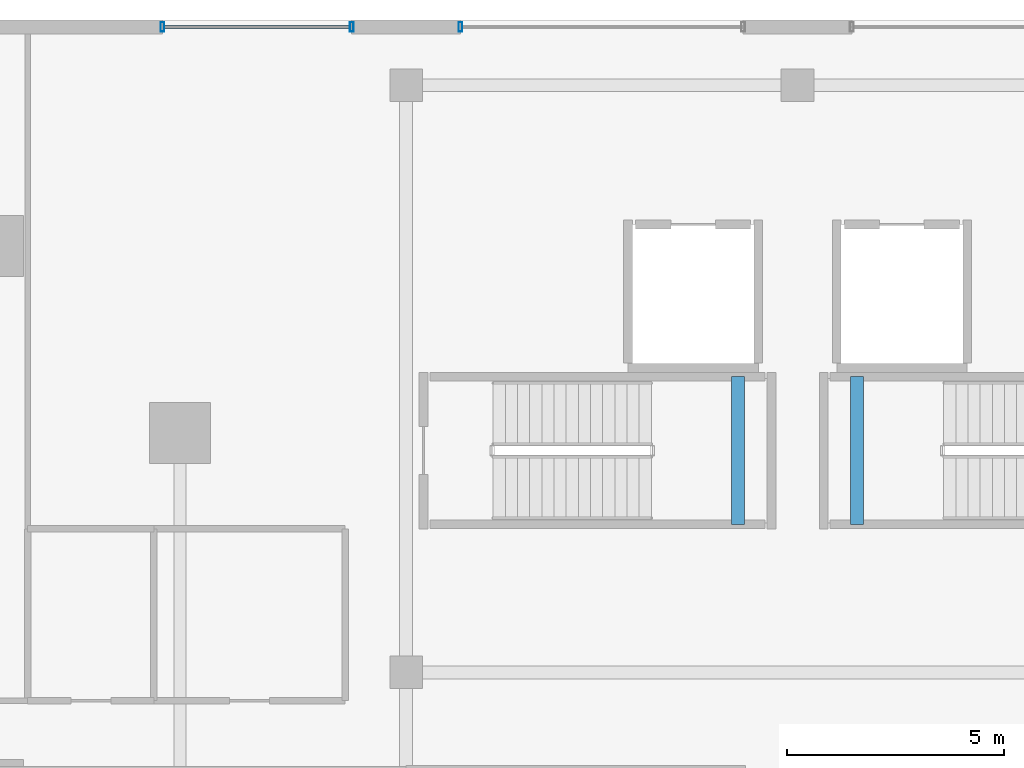
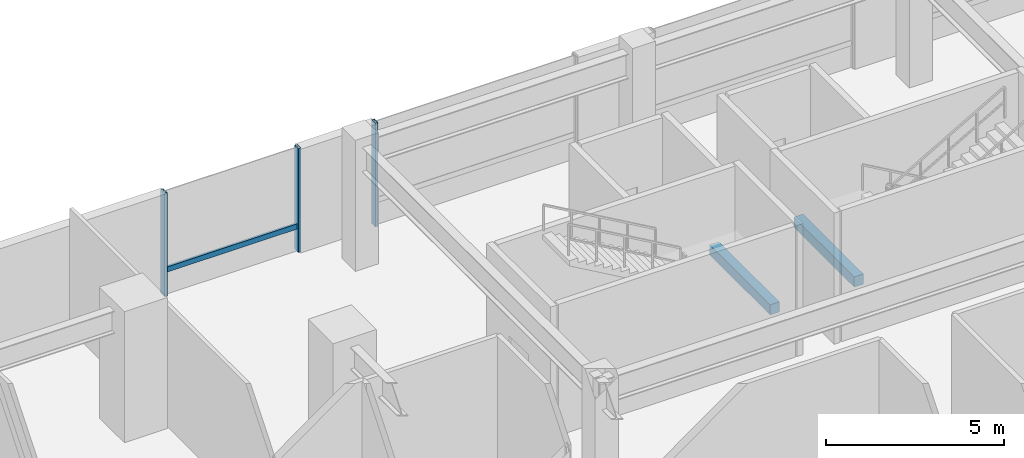
# One storey, part 5 of 24: 4 members, 2 beams, 2 elements without a shape of their own.
"""IFC4 building model written with IfcOpenShell, lengths in metres."""

from ifc_helpers import new_model, si_unit, direction, frame, origin, origin_2d, place, context, subcontext, project, spatial, rectangle, hollow_rectangle, extrude, material, material_profile, profile_set, type_object, element, aggregate, save


model = new_model("IFC4")

# Units and contexts
model_context = context("Model", 3, precision=1e-05, world=origin(), true_north=direction((0.0, 1.0)))
body_context = subcontext(model_context, "Body", "Model", "MODEL_VIEW")
ifc_project = project(units=[si_unit("LENGTHUNIT", "METRE"), si_unit("AREAUNIT", "SQUARE_METRE"), si_unit("VOLUMEUNIT", "CUBIC_METRE"), si_unit("PLANEANGLEUNIT", "RADIAN"), si_unit("MASSUNIT", "GRAM", prefix="KILO")], contexts=[model_context])

# Site, building, storey
site_placement = place(None, origin())
site = spatial("IfcSite", under=ifc_project, at=site_placement, CompositionType="ELEMENT")
building_placement = place(site_placement, origin())
building = spatial("IfcBuilding", under=site, at=building_placement, Name="Thornwick Lancets Civic Towers", CompositionType="ELEMENT")
storey_placement = place(building_placement, frame((0.0, 0.0, 14.10009765625)))
storey = spatial("IfcBuildingStorey", under=building, at=storey_placement, Name="L03", CompositionType="ELEMENT", Elevation=14.10009765625)

# Beams
ifc_material_1 = material(Name="Concrete C40/50", Category="concrete")
ifc_material_profile_1 = material_profile(ifc_material_1, rectangle(XDim=0.300048828125, YDim=0.35009765625, at=origin_2d()), Name="RC 300x350")
ifc_profile_set_1 = profile_set([ifc_material_profile_1], Name="Concrete C40/50")
beam_type = type_object("IfcBeamType", Name="BM_STAIR_LDG", PredefinedType="BEAM", material=ifc_profile_set_1)
for number, where, z_axis, x_axis, name in (
    (1, (55.635009765625, 37.89990234375, 1.827880859375), (0.0, 1.0, 0.0), (-1.0, 0.0, 0.0), "L03 ST-P5 Landing Support Beam 1"),
    (2, (58.364990234375, 41.300048828125, 1.827880859375), (0.0, -1.0, 0.0), (1.0, 0.0, 0.0), "L03 ST-P6 Landing Support Beam 1"),
):
    element("IfcBeam", number, at=place(storey_placement, frame(where, z_axis=z_axis, x_axis=x_axis)), inside=storey, type_object=beam_type, Name=name, PredefinedType="BEAM", context=body_context, shape_type="SweptSolid", body=[
        extrude(rectangle(XDim=0.300048828125, YDim=0.35009765625, at=origin_2d()), origin(), (0.0, 0.0, 1.0), 3.400146484375),
    ])

# Curtain wall, member
ifc_material_2 = material(Name="Terracotta-trimmed cascading podium ribbon curtain wall", Category="masonry")
curtain_wall_type = type_object("IfcCurtainWallType", Name="CW_SYS_02", PredefinedType="NOTDEFINED", material=ifc_material_2)
curtain_wall_1_placement = place(storey_placement, origin())
curtain_wall_1 = element("IfcCurtainWall", 3, at=curtain_wall_1_placement, inside=storey, type_object=curtain_wall_type, Name="L03 Curtain Wall CW-L03-POD-NC-S3", PredefinedType="NOTDEFINED")
ifc_material_3 = material(Name="Thermally broken bronze aluminium S355", Category="steel")
ifc_material_profile_2 = material_profile(ifc_material_3, hollow_rectangle(XDim=0.090087890625, YDim=0.219970703125, WallThickness=0.00634765625, at=origin_2d()), Name="RHS 220x90x6.3")
ifc_profile_set_2 = profile_set([ifc_material_profile_2], Name="Thermally broken bronze aluminium S355")
member_type_1 = type_object("IfcMemberType", Name="CW_MUL_220", PredefinedType="MULLION", material=ifc_profile_set_2)
member_1_placement = place(storey_placement, frame((49.25, 49.340087890625, 0.0), z_axis=(0.0, 0.0, 1.0), x_axis=(1.0, 0.0, 0.0)))
member_1 = element("IfcMember", 4, at=member_1_placement, type_object=member_type_1, Name="CW-L03-POD-NC-S3 Mullion 1", PredefinedType="MULLION", context=body_context, shape_type="SweptSolid", body=[
    extrude(hollow_rectangle(XDim=0.090087890625, YDim=0.219970703125, WallThickness=0.00634765625, at=origin_2d()), origin(), (0.0, 0.0, 1.0), 3.559814453125),
])
aggregate(curtain_wall_1, [member_1])

# Curtain wall, members
curtain_wall_2_placement = place(storey_placement, origin())
curtain_wall_2 = element("IfcCurtainWall", 5, at=curtain_wall_2_placement, inside=storey, type_object=curtain_wall_type, Name="L03 Curtain Wall CW-L03-POD-NC-S4", PredefinedType="NOTDEFINED")
member_2_placement = place(storey_placement, frame((46.75, 49.340087890625, 0.0), z_axis=(0.0, 0.0, 1.0), x_axis=(1.0, 0.0, 0.0)))
member_2 = element("IfcMember", 6, at=member_2_placement, type_object=member_type_1, Name="CW-L03-POD-NC-S4 Mullion 0", PredefinedType="MULLION", context=body_context, shape_type="SweptSolid", body=[
    extrude(hollow_rectangle(XDim=0.090087890625, YDim=0.219970703125, WallThickness=0.00634765625, at=origin_2d()), origin(), (0.0, 0.0, 1.0), 3.559814453125),
])
member_3_placement = place(storey_placement, frame((42.39990234375, 49.340087890625, 0.0), z_axis=(0.0, 0.0, 1.0), x_axis=(1.0, 0.0, 0.0)))
member_3 = element("IfcMember", 7, at=member_3_placement, type_object=member_type_1, Name="CW-L03-POD-NC-S4 Mullion 1", PredefinedType="MULLION", context=body_context, shape_type="SweptSolid", body=[
    extrude(hollow_rectangle(XDim=0.090087890625, YDim=0.219970703125, WallThickness=0.00634765625, at=origin_2d()), origin(), (0.0, 0.0, 1.0), 3.559814453125),
])
ifc_material_profile_3 = material_profile(ifc_material_3, hollow_rectangle(XDim=0.074951171875, YDim=0.179931640625, WallThickness=0.006103515625, at=origin_2d()), Name="RHS 180x75x6")
ifc_profile_set_3 = profile_set([ifc_material_profile_3], Name="Thermally broken bronze aluminium S355")
member_type_2 = type_object("IfcMemberType", Name="CW_TRN_180", PredefinedType="USERDEFINED", material=ifc_profile_set_3)
member_4_placement = place(storey_placement, frame((46.72998046875, 49.340087890625, 0.849853515625), z_axis=(-1.0, 0.0, 0.0), x_axis=(0.0, -1.0, 0.0)))
member_4 = element("IfcMember", 8, at=member_4_placement, type_object=member_type_2, Name="CW-L03-POD-NC-S4 Transom 0", ObjectType="TRANSOM", PredefinedType="USERDEFINED", context=body_context, shape_type="SweptSolid", body=[
    extrude(hollow_rectangle(XDim=0.074951171875, YDim=0.179931640625, WallThickness=0.006103515625, at=origin_2d()), origin(), (0.0, 0.0, 1.0), 4.31005859375),
])
aggregate(curtain_wall_2, [member_2, member_3, member_4])

save(model, "model.ifc")
